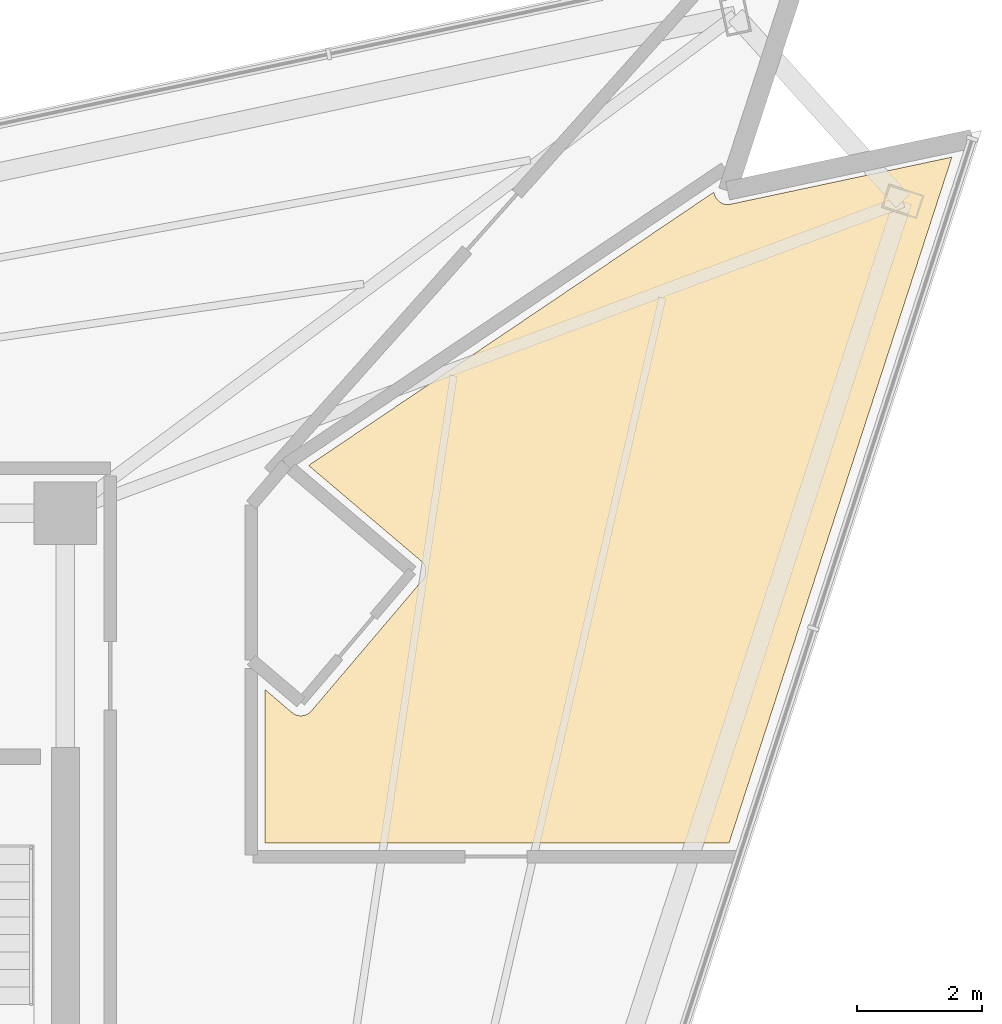
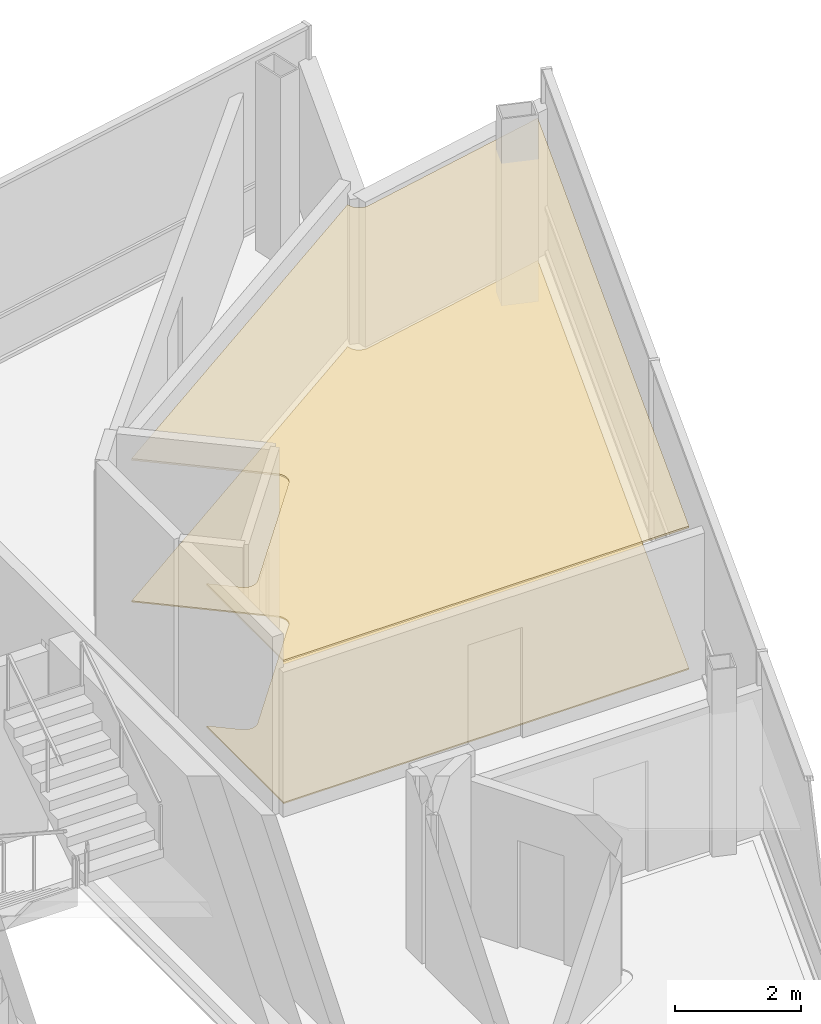
# One storey, part 18 of 18: 2 coverings.
"""IFC4 building model written with IfcOpenShell, lengths in metres."""

from ifc_helpers import new_model, si_unit, direction, frame, origin, place, context, subcontext, project, spatial, polyline, outline, extrude, material, layer, layer_set, type_object, element, save


model = new_model("IFC4")

# Units and contexts
model_context = context("Model", 3, precision=1e-05, world=origin(), true_north=direction((0.0, 1.0)))
body_context = subcontext(model_context, "Body", "Model", "MODEL_VIEW")
ifc_project = project(units=[si_unit("LENGTHUNIT", "METRE"), si_unit("AREAUNIT", "SQUARE_METRE"), si_unit("VOLUMEUNIT", "CUBIC_METRE"), si_unit("PLANEANGLEUNIT", "RADIAN"), si_unit("MASSUNIT", "GRAM", prefix="KILO")], contexts=[model_context])

# Site, building, storey
site_placement = place(None, origin())
site = spatial("IfcSite", under=ifc_project, at=site_placement, CompositionType="ELEMENT")
building_placement = place(site_placement, origin())
building = spatial("IfcBuilding", under=site, at=building_placement, Name="Tharavind Bronze Gate", CompositionType="ELEMENT")
storey_placement = place(building_placement, frame((0.0, 0.0, 287.050048828125)))
storey = spatial("IfcBuildingStorey", under=building, at=storey_placement, Name="L74", CompositionType="ELEMENT", Elevation=287.050048828125)

# Coverings
ifc_material_1 = material(Name="Engineered Oak & Carpet Tile", Category="wood")
ifc_layer_1 = layer(ifc_material_1, 0.02490234375)
ifc_layer_set_1 = layer_set([ifc_layer_1], Name="Engineered Oak & Carpet Tile")
covering_type_1 = type_object("IfcCoveringType", Name="ENGINEERED TIMBER FLOORING", PredefinedType="FLOORING", material=ifc_layer_set_1)
covering_1_placement = place(storey_placement, origin())
element("IfcCovering", 1, at=covering_1_placement, inside=storey, type_object=covering_type_1, Name="L74-RM-01 floor finish", PredefinedType="FLOORING", context=body_context, shape_type="SweptSolid", body=[
    extrude(outline(polyline([(19.536376953125, 2.320068359375), (23.10693359375, 13.308837890625), (19.559814453125, 12.554931640625), (19.549072265625, 12.552978515625), (19.548583984375, 12.552734375), (19.526611328125, 12.55029296875), (19.5048828125, 12.55029296875), (19.48291015625, 12.55224609375), (19.46142578125, 12.556396484375), (19.4404296875, 12.5625), (19.420166015625, 12.57080078125), (19.400634765625, 12.581298828125), (19.382568359375, 12.593505859375), (19.365478515625, 12.607421875), (19.35009765625, 12.622802734375), (19.336181640625, 12.639892578125), (19.32421875, 12.658203125), (19.31396484375, 12.677490234375), (19.3056640625, 12.697998046875), (19.299560546875, 12.718994140625), (19.29541015625, 12.740478515625), (19.294921875, 12.7490234375), (12.79833984375, 8.3671875), (14.59716796875, 6.83984375), (14.61279296875, 6.824951171875), (14.627197265625, 6.808837890625), (14.6396484375, 6.791259765625), (14.650390625, 6.7724609375), (14.659423828125, 6.7529296875), (14.666259765625, 6.732421875), (14.671142578125, 6.71142578125), (14.674072265625, 6.68994140625), (14.6748046875, 6.66845703125), (14.67333984375, 6.646728515625), (14.669921875, 6.62548828125), (14.664306640625, 6.604736328125), (14.656494140625, 6.58447265625), (14.64697265625, 6.565185546875), (14.635498046875, 6.546875), (14.622314453125, 6.52978515625), (12.842529296875, 4.43359375), (12.82763671875, 4.417724609375), (12.8115234375, 4.403564453125), (12.7939453125, 4.390869140625), (12.775146484375, 4.380126953125), (12.755615234375, 4.37109375), (12.735107421875, 4.3642578125), (12.714111328125, 4.359375), (12.692626953125, 4.356689453125), (12.671142578125, 4.35595703125), (12.6494140625, 4.357421875), (12.628173828125, 4.36083984375), (12.607421875, 4.366455078125), (12.587158203125, 4.3740234375), (12.56787109375, 4.383544921875), (12.549560546875, 4.39501953125), (12.532470703125, 4.408203125), (12.10009765625, 4.775390625), (12.10009765625, 2.320068359375), (19.536376953125, 2.320068359375)])), origin(), (0.0, 0.0, 1.0), 0.02490234375),
])
ifc_material_2 = material(Name="Acoustic Gypsum Board", Category="gypsum")
ifc_layer_2 = layer(ifc_material_2, 0.030029296875)
ifc_layer_set_2 = layer_set([ifc_layer_2], Name="Acoustic Gypsum Board")
covering_type_2 = type_object("IfcCoveringType", Name="GYPSUM SUSPENDED CEILING", PredefinedType="CEILING", material=ifc_layer_set_2)
covering_2_placement = place(storey_placement, frame((0.0, 0.0, 2.75)))
element("IfcCovering", 2, at=covering_2_placement, inside=storey, type_object=covering_type_2, Name="L74-RM-01 suspended ceiling", PredefinedType="CEILING", context=body_context, shape_type="SweptSolid", body=[
    extrude(outline(polyline([(19.536376953125, 2.320068359375), (23.10693359375, 13.308837890625), (19.559814453125, 12.554931640625), (19.549072265625, 12.552978515625), (19.548583984375, 12.552734375), (19.526611328125, 12.55029296875), (19.5048828125, 12.55029296875), (19.48291015625, 12.55224609375), (19.46142578125, 12.556396484375), (19.4404296875, 12.5625), (19.420166015625, 12.57080078125), (19.400634765625, 12.581298828125), (19.382568359375, 12.593505859375), (19.365478515625, 12.607421875), (19.35009765625, 12.622802734375), (19.336181640625, 12.639892578125), (19.32421875, 12.658203125), (19.31396484375, 12.677490234375), (19.3056640625, 12.697998046875), (19.299560546875, 12.718994140625), (19.29541015625, 12.740478515625), (19.294921875, 12.7490234375), (12.79833984375, 8.3671875), (14.59716796875, 6.83984375), (14.61279296875, 6.824951171875), (14.627197265625, 6.808837890625), (14.6396484375, 6.791259765625), (14.650390625, 6.7724609375), (14.659423828125, 6.7529296875), (14.666259765625, 6.732421875), (14.671142578125, 6.71142578125), (14.674072265625, 6.68994140625), (14.6748046875, 6.66845703125), (14.67333984375, 6.646728515625), (14.669921875, 6.62548828125), (14.664306640625, 6.604736328125), (14.656494140625, 6.58447265625), (14.64697265625, 6.565185546875), (14.635498046875, 6.546875), (14.622314453125, 6.52978515625), (12.842529296875, 4.43359375), (12.82763671875, 4.417724609375), (12.8115234375, 4.403564453125), (12.7939453125, 4.390869140625), (12.775146484375, 4.380126953125), (12.755615234375, 4.37109375), (12.735107421875, 4.3642578125), (12.714111328125, 4.359375), (12.692626953125, 4.356689453125), (12.671142578125, 4.35595703125), (12.6494140625, 4.357421875), (12.628173828125, 4.36083984375), (12.607421875, 4.366455078125), (12.587158203125, 4.3740234375), (12.56787109375, 4.383544921875), (12.549560546875, 4.39501953125), (12.532470703125, 4.408203125), (12.10009765625, 4.775390625), (12.10009765625, 2.320068359375), (19.536376953125, 2.320068359375)])), origin(), (0.0, 0.0, 1.0), 0.034912109375),
])

save(model, "model.ifc")
